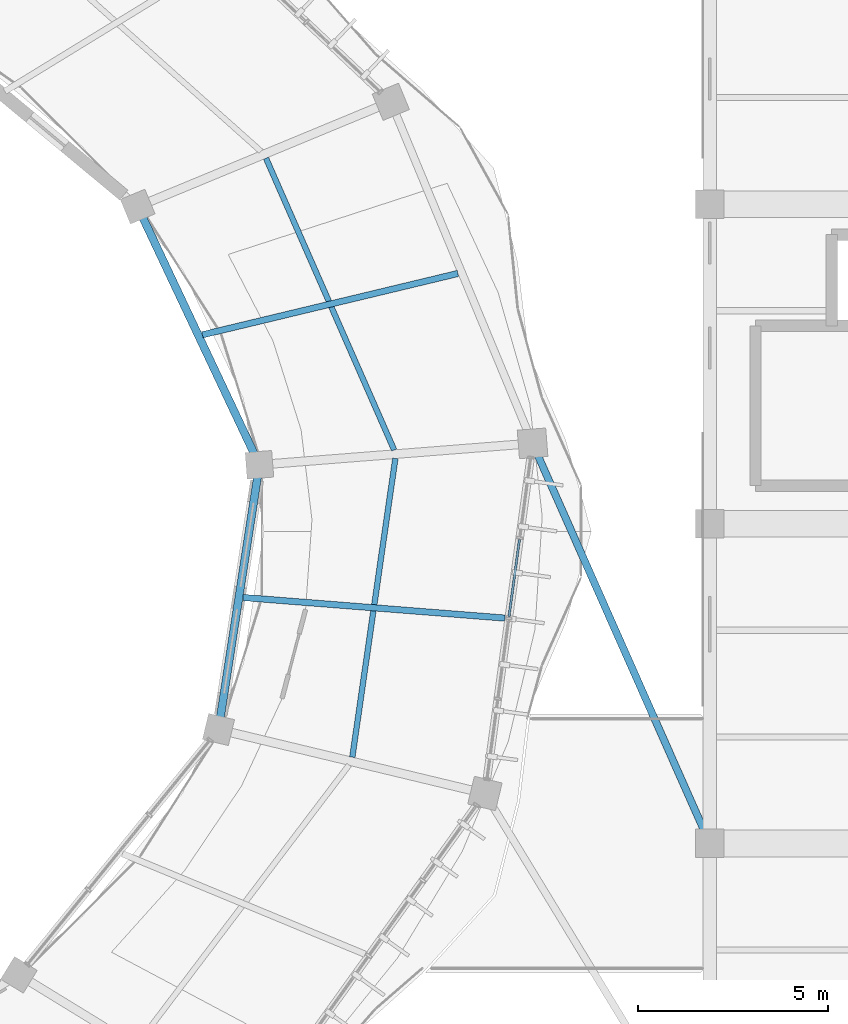
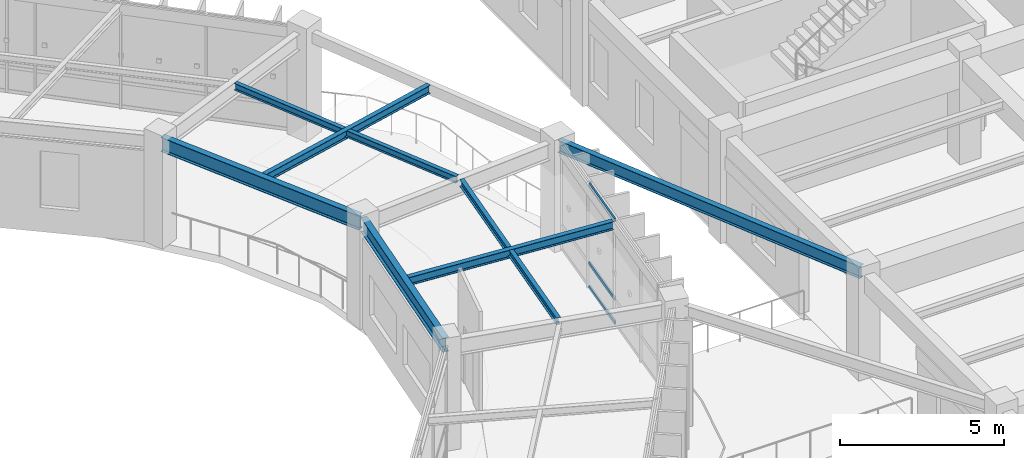
# One storey, part 98 of 152: 7 beams, 3 members, 1 element without a shape of its own.
"""IFC4 building model written with IfcOpenShell, lengths in metres."""

from ifc_helpers import new_model, si_unit, direction, frame, origin, origin_2d, place, context, subcontext, project, spatial, hollow_rectangle, i_section, extrude, material, material_profile, profile_set, type_object, element, aggregate, save


model = new_model("IFC4")

# Units and contexts
model_context = context("Model", 3, precision=1e-05, world=origin(), true_north=direction((0.0, 1.0)))
body_context = subcontext(model_context, "Body", "Model", "MODEL_VIEW")
ifc_project = project(units=[si_unit("LENGTHUNIT", "METRE"), si_unit("AREAUNIT", "SQUARE_METRE"), si_unit("VOLUMEUNIT", "CUBIC_METRE"), si_unit("PLANEANGLEUNIT", "RADIAN"), si_unit("MASSUNIT", "GRAM", prefix="KILO"), si_unit("THERMODYNAMICTEMPERATUREUNIT", "KELVIN"), si_unit("POWERUNIT", "WATT")], contexts=[model_context])

# Site, building, storey
site_placement = place(None, origin())
site = spatial("IfcSite", under=ifc_project, at=site_placement, CompositionType="ELEMENT")
building_placement = place(site_placement, origin())
building = spatial("IfcBuilding", under=site, at=building_placement, Name="Darbajah Civic Hall", CompositionType="ELEMENT")
storey_placement = place(building_placement, frame((0.0, 0.0, 5.39990234375)))
storey = spatial("IfcBuildingStorey", under=building, at=storey_placement, Name="L01", CompositionType="ELEMENT", Elevation=5.39990234375)

# Curtain wall, members
ifc_material_1 = material(Name="Anodised Bronze Aluminium and Low-E Glazing", Category="aluminium")
curtain_wall_type = type_object("IfcCurtainWallType", Name="Unitised Curtain Wall CW-36 8500x3900", PredefinedType="USERDEFINED", material=ifc_material_1)
curtain_wall_placement = place(storey_placement, origin())
curtain_wall = element("IfcCurtainWall", 1, at=curtain_wall_placement, inside=storey, type_object=curtain_wall_type, Name="L01 unitised curtain wall CW-V1O-L01-19", ObjectType="UNITISED CURTAIN WALL", PredefinedType="USERDEFINED")
ifc_material_2 = material(Name="Anodised Bronze Aluminium", Category="aluminium")
ifc_material_profile_1 = material_profile(ifc_material_2, hollow_rectangle(XDim=0.06005859375, YDim=0.1201171875, WallThickness=0.003173828125, at=origin_2d()), Name="ALU TRANSOM 60x120")
ifc_profile_set_1 = profile_set([ifc_material_profile_1], Name="Anodised Bronze Aluminium")
member_type = type_object("IfcMemberType", Name="ALU TRANSOM 60x120", PredefinedType="USERDEFINED", material=ifc_profile_set_1)
member_1_placement = place(storey_placement, frame((139.321533203125, 87.548583984375, 0.06005859375), z_axis=(0.134791058851, 0.990874043688, 0.0), x_axis=(-0.990874043688, 0.134791058851, 0.0)))
member_1 = element("IfcMember", 2, at=member_1_placement, type_object=member_type, Name="CW-V1O-L01-19 transom 3.1", ObjectType="TRANSOM", PredefinedType="USERDEFINED", context=body_context, shape_type="SweptSolid", body=[
    extrude(hollow_rectangle(XDim=0.06005859375, YDim=0.1201171875, WallThickness=0.003173828125, at=origin_2d()), origin(), (0.0, 0.0, 1.0), 2.06298828125),
])
member_2_placement = place(storey_placement, frame((139.321533203125, 87.548583984375, 0.9501953125), z_axis=(0.134791058851, 0.990874043688, 0.0), x_axis=(-0.990874043688, 0.134791058851, 0.0)))
member_2 = element("IfcMember", 3, at=member_2_placement, type_object=member_type, Name="CW-V1O-L01-19 transom 3.2", ObjectType="TRANSOM", PredefinedType="USERDEFINED", context=body_context, shape_type="SweptSolid", body=[
    extrude(hollow_rectangle(XDim=0.06005859375, YDim=0.1201171875, WallThickness=0.003173828125, at=origin_2d()), origin(), (0.0, 0.0, 1.0), 2.06298828125),
])
member_3_placement = place(storey_placement, frame((139.321533203125, 87.548583984375, 3.860107421875), z_axis=(0.134791058851, 0.990874043688, 0.0), x_axis=(-0.990874043688, 0.134791058851, 0.0)))
member_3 = element("IfcMember", 4, at=member_3_placement, type_object=member_type, Name="CW-V1O-L01-19 transom 3.3", ObjectType="TRANSOM", PredefinedType="USERDEFINED", context=body_context, shape_type="SweptSolid", body=[
    extrude(hollow_rectangle(XDim=0.06005859375, YDim=0.1201171875, WallThickness=0.003173828125, at=origin_2d()), origin(), (0.0, 0.0, 1.0), 2.06298828125),
])
aggregate(curtain_wall, [member_1, member_2, member_3])

# Beams
ifc_material_3 = material(Name="Steel S355JR", Category="steel")
ifc_material_profile_2 = material_profile(ifc_material_3, i_section(OverallWidth=0.146484375, OverallDepth=0.256103515625, WebThickness=0.00634765625, FlangeThickness=0.010986328125, FilletRadius=0.007568359375, at=origin_2d()), Name="UB 254x146x37")
ifc_profile_set_2 = profile_set([ifc_material_profile_2], Name="Steel S355JR")
beam_type_1 = type_object("IfcBeamType", Name="UB 254x146x37", PredefinedType="JOIST", material=ifc_profile_set_2)
beam_1_placement = place(storey_placement, frame((136.30712890625, 91.938232421875, 3.7919921875), z_axis=(-0.402231491777, 0.915537998678, 0.0), x_axis=(-0.915537998678, -0.402231491777, 0.0)))
element("IfcBeam", 5, at=beam_1_placement, inside=storey, type_object=beam_type_1, Name="L01 beam SJ-254", PredefinedType="JOIST", context=body_context, shape_type="SweptSolid", body=[
    extrude(i_section(OverallWidth=0.146484375, OverallDepth=0.256103515625, WebThickness=0.00634765625, FlangeThickness=0.010986328125, FilletRadius=0.007568359375, at=origin_2d()), origin(), (0.0, 0.0, 1.0), 8.374267578125),
])
beam_2_placement = place(storey_placement, frame((135.206787109375, 83.86865234375, 3.7919921875), z_axis=(0.142580747671, 0.989783173424, 0.0), x_axis=(-0.989783173424, 0.142580747671, 0.0)))
element("IfcBeam", 6, at=beam_2_placement, inside=storey, type_object=beam_type_1, Name="L01 beam SJ-254", PredefinedType="JOIST", context=body_context, shape_type="SweptSolid", body=[
    extrude(i_section(OverallWidth=0.146484375, OverallDepth=0.256103515625, WebThickness=0.00634765625, FlangeThickness=0.010986328125, FilletRadius=0.007568359375, at=origin_2d()), origin(), (0.0, 0.0, 1.0), 7.9296875),
])
ifc_material_profile_3 = material_profile(ifc_material_3, i_section(OverallWidth=0.165771484375, OverallDepth=0.306640625, WebThickness=0.006591796875, FlangeThickness=0.01171875, FilletRadius=0.0087890625, at=origin_2d()), Name="UB 305x165x46")
ifc_profile_set_3 = profile_set([ifc_material_profile_3], Name="Steel S355JR")
beam_type_2 = type_object("IfcBeamType", Name="UB 305x165x46", PredefinedType="JOIST", material=ifc_profile_set_3)
for number, where, z_axis, x_axis, name in (
    (7, (131.2685546875, 94.96630859375, 3.766845703125), (0.972369643286, 0.233446518106, 0.0), (-0.233446518106, 0.972369643286, 0.0), "L01 beam SJ-305"),
    (8, (132.3330078125, 88.063720703125, 3.766845703125), (0.996916012499, -0.078475881788, 0.0), (0.078475881788, 0.996916012499, 0.0), "L01 beam SJ-305"),
):
    element("IfcBeam", number, at=place(storey_placement, frame(where, z_axis=z_axis, x_axis=x_axis)), inside=storey, type_object=beam_type_2, Name=name, PredefinedType="JOIST", context=body_context, shape_type="SweptSolid", body=[
        extrude(i_section(OverallWidth=0.165771484375, OverallDepth=0.306640625, WebThickness=0.006591796875, FlangeThickness=0.01171875, FilletRadius=0.0087890625, at=origin_2d()), origin(), (0.0, 0.0, 1.0), 6.9033203125),
    ])
ifc_material_profile_4 = material_profile(ifc_material_3, i_section(OverallWidth=0.1904296875, OverallDepth=0.45703125, WebThickness=0.009033203125, FlangeThickness=0.014404296875, FilletRadius=0.01025390625, at=origin_2d()), Name="UB 457x191x74")
ifc_profile_set_4 = profile_set([ifc_material_profile_4], Name="Steel S355JR")
beam_type_3 = type_object("IfcBeamType", Name="UB 457x191x74", PredefinedType="BEAM", material=ifc_profile_set_4)
beam_3_placement = place(storey_placement, frame((139.967041015625, 92.0595703125, 3.70166015625), z_axis=(0.40498560318, -0.914323061733, 0.0), x_axis=(0.914323061733, 0.40498560318, 0.0)))
element("IfcBeam", 9, at=beam_3_placement, inside=storey, type_object=beam_type_3, Name="L01 beam SB-457", PredefinedType="BEAM", context=body_context, shape_type="SweptSolid", body=[
    extrude(i_section(OverallWidth=0.1904296875, OverallDepth=0.45703125, WebThickness=0.009033203125, FlangeThickness=0.014404296875, FilletRadius=0.01025390625, at=origin_2d()), origin(), (0.0, 0.0, 1.0), 11.3798828125),
])
ifc_material_profile_5 = material_profile(ifc_material_3, i_section(OverallWidth=0.209228515625, OverallDepth=0.533203125, WebThickness=0.010009765625, FlangeThickness=0.015625, FilletRadius=0.0126953125, at=origin_2d()), Name="UB 533x210x92")
ifc_profile_set_5 = profile_set([ifc_material_profile_5], Name="Steel S355JR")
beam_type_4 = type_object("IfcBeamType", Name="UB 533x210x92", PredefinedType="BEAM", material=ifc_profile_set_5)
beam_4_placement = place(storey_placement, frame((132.73095703125, 91.6220703125, 3.653564453125), z_axis=(-0.426514469485, 0.904480739054, 0.0), x_axis=(-0.904480739054, -0.426514469485, 0.0)))
element("IfcBeam", 10, at=beam_4_placement, inside=storey, type_object=beam_type_4, Name="L01 beam SB-533", PredefinedType="BEAM", context=body_context, shape_type="SweptSolid", body=[
    extrude(i_section(OverallWidth=0.209228515625, OverallDepth=0.533203125, WebThickness=0.010009765625, FlangeThickness=0.015625, FilletRadius=0.0126953125, at=origin_2d()), origin(), (0.0, 0.0, 1.0), 7.340576171875),
])
beam_5_placement = place(storey_placement, frame((131.701904296875, 84.67333984375, 3.653564453125), z_axis=(0.152777334871, 0.988260636649, 0.0), x_axis=(-0.988260636649, 0.152777334871, 0.0)))
element("IfcBeam", 11, at=beam_5_placement, inside=storey, type_object=beam_type_4, Name="L01 beam SB-533", PredefinedType="BEAM", context=body_context, shape_type="SweptSolid", body=[
    extrude(i_section(OverallWidth=0.209228515625, OverallDepth=0.533203125, WebThickness=0.010009765625, FlangeThickness=0.015625, FilletRadius=0.0126953125, at=origin_2d()), origin(), (0.0, 0.0, 1.0), 6.8779296875),
])

save(model, "model.ifc")
